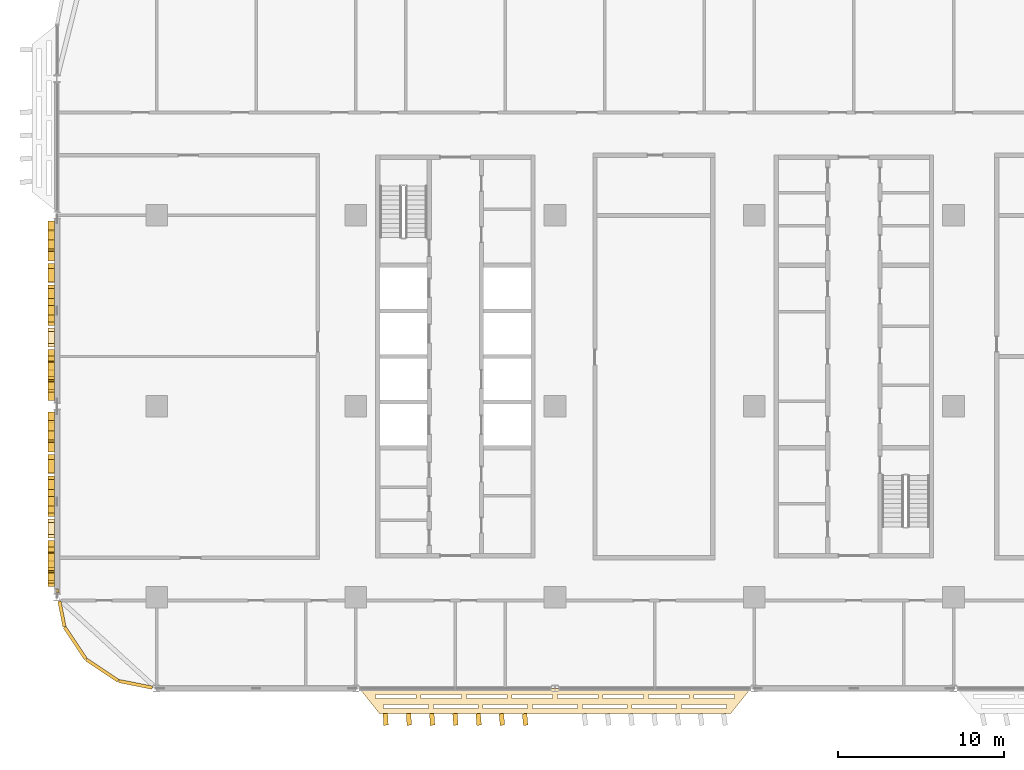
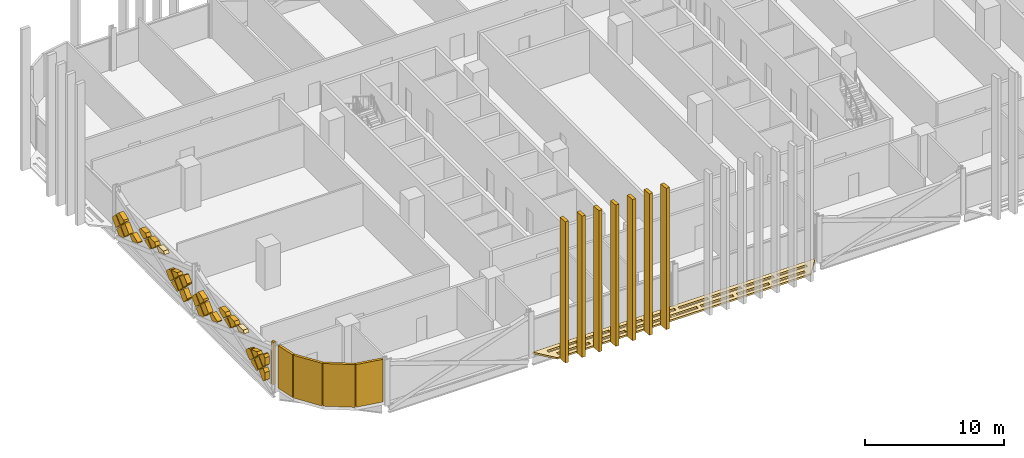
# One storey, part 25 of 32: 43 coverings.
"""IFC4 building model written with IfcOpenShell, lengths in metres."""

import ifcopenshell
import ifcopenshell.guid

model = None  # the IFC model being written
_history = None  # IfcOwnerHistory: only IFC2X3 demands one
_inside = {}  # id of a spatial element -> (the spatial element, [elements in it])
_under = {}  # id of a project, library or spatial element -> (it, [spatial elements below it])
_declared = {}  # id of a project -> (the project, [libraries it declares])
_typed = {}  # id of a type object -> (the type object, [elements of that type])
_made_of = {}  # id of a material, layer set ... -> (it, [elements and type objects made of it])


def new_model(schema):
    """Start an empty IFC model of exactly this schema.

    Asked for "IFC4X3", IfcOpenShell would pick the latest addendum, in which some entities
    have other attributes; the version numbers below select the first issue.
    IFC2X3 requires an IfcOwnerHistory on every rooted entity: one is made here for all.
    """
    global model, _history
    if schema == "IFC4X3":
        model = ifcopenshell.file(schema_version=(4, 3, 0, 0))
    else:
        model = ifcopenshell.file(schema=schema)
    _inside.clear()
    _under.clear()
    _declared.clear()
    _typed.clear()
    _made_of.clear()
    _history = None
    if model.schema == "IFC2X3":
        org = make("IfcOrganization", Name="unknown")
        user = make(
            "IfcPersonAndOrganization",
            ThePerson=make("IfcPerson", FamilyName="unknown"),
            TheOrganization=org,
        )
        app = make(
            "IfcApplication",
            ApplicationDeveloper=org,
            Version="unknown",
            ApplicationFullName="unknown",
            ApplicationIdentifier="unknown",
        )
        _history = make(
            "IfcOwnerHistory",
            OwningUser=user,
            OwningApplication=app,
            ChangeAction="ADDED",
            CreationDate=0,
        )
    return model


def make(cls, **values):
    """One entity of the class cls with the attributes given. An attribute that is None is left unset."""
    return model.create_entity(
        cls, **{name: value for name, value in values.items() if value is not None}
    )


def rooted(cls, **values):
    """An entity with a GlobalId (a new one), such as an element, a storey or a relation."""
    return make(cls, GlobalId=ifcopenshell.guid.new(), OwnerHistory=_history, **values)


def si_unit(unit_type, name, prefix=None):
    """IfcSIUnit, for example si_unit("LENGTHUNIT", "METRE", prefix="MILLI")."""
    return make("IfcSIUnit", UnitType=unit_type, Prefix=prefix, Name=name)


def assignment(units):
    """IfcUnitAssignment: the units of a project."""
    return None if units is None else make("IfcUnitAssignment", Units=units)


def point(xyz):
    """IfcCartesianPoint."""
    return None if xyz is None else make("IfcCartesianPoint", Coordinates=xyz)


def direction(xyz):
    """IfcDirection."""
    return None if xyz is None else make("IfcDirection", DirectionRatios=xyz)


def frame(location, z_axis=None, x_axis=None):
    """IfcAxis2Placement3D, a coordinate frame: its origin and axes. An axis left out is left unset."""
    return make(
        "IfcAxis2Placement3D",
        Location=point(location),
        Axis=direction(z_axis),
        RefDirection=direction(x_axis),
    )


def frame_2d(location, x_axis=None):
    """IfcAxis2Placement2D, a coordinate frame in the plane: its origin and x axis."""
    return make(
        "IfcAxis2Placement2D", Location=point(location), RefDirection=direction(x_axis)
    )


def origin():
    """The frame at (0, 0, 0) with its axes left unset."""
    return frame((0.0, 0.0, 0.0))


def origin_2d():
    """The frame at (0, 0) in the plane with its x axis left unset."""
    return frame_2d((0.0, 0.0))


def place(relative_to, where):
    """IfcLocalPlacement: puts the frame where relative to a parent placement (None: the world)."""
    return make(
        "IfcLocalPlacement", PlacementRelTo=relative_to, RelativePlacement=where
    )


def context(
    kind, dimensions, precision=None, world=None, true_north=None, identifier=None
):
    """IfcGeometricRepresentationContext, for example the 3D "Model" context."""
    return make(
        "IfcGeometricRepresentationContext",
        ContextIdentifier=identifier,
        ContextType=kind,
        CoordinateSpaceDimension=dimensions,
        Precision=precision,
        WorldCoordinateSystem=world,
        TrueNorth=true_north,
    )


def subcontext(parent, identifier, kind, view, scale=None):
    """IfcGeometricRepresentationSubContext, for example "Body" below "Model"."""
    return make(
        "IfcGeometricRepresentationSubContext",
        ContextIdentifier=identifier,
        ContextType=kind,
        ParentContext=parent,
        TargetScale=scale,
        TargetView=view,
    )


def project(units=None, contexts=None):
    """IfcProject with its units and contexts."""
    return rooted(
        "IfcProject",
        Name="project",
        RepresentationContexts=contexts,
        UnitsInContext=assignment(units),
    )


def spatial(cls, under=None, at=None, **own):
    """A site, building, storey or space (cls), placed at a placement, below another one or the project."""
    s = rooted(cls, ObjectPlacement=at, **own)
    if under is not None:
        _under.setdefault(under.id(), (under, []))[1].append(s)
    return s


def polyline(points):
    """IfcPolyline through the points."""
    return make("IfcPolyline", Points=[point(p) for p in points])


def profile(cls, at=None, kind="AREA", **sizes):
    """A parametric profile (cls). Its sizes go by their IFC names, for example OverallWidth=200.0."""
    return make(cls, ProfileType=kind, Position=at, **sizes)


def rectangle(**sizes):
    """IfcRectangleProfileDef."""
    return profile("IfcRectangleProfileDef", **sizes)


def outline(outer, holes=None, kind="AREA"):
    """IfcArbitraryClosedProfileDef: a profile drawn as a closed curve; with holes, ...WithVoids."""
    if holes is None:
        return make("IfcArbitraryClosedProfileDef", ProfileType=kind, OuterCurve=outer)
    return make(
        "IfcArbitraryProfileDefWithVoids",
        ProfileType=kind,
        OuterCurve=outer,
        InnerCurves=holes,
    )


def extrude(swept, where, along, depth):
    """IfcExtrudedAreaSolid: the profile swept, set in the frame where, extruded along a direction by depth."""
    return make(
        "IfcExtrudedAreaSolid",
        SweptArea=swept,
        Position=where,
        ExtrudedDirection=direction(along),
        Depth=depth,
    )


def shape(context_of_items, identifier, shape_type, items):
    """IfcShapeRepresentation: the items that make up one representation, for example the "Body"."""
    return make(
        "IfcShapeRepresentation",
        ContextOfItems=context_of_items,
        RepresentationIdentifier=identifier,
        RepresentationType=shape_type,
        Items=items,
    )


def material(Name=None, Category=None):
    """IfcMaterial."""
    return make("IfcMaterial", Name=Name, Category=Category)


def layer(
    of_material, thickness, ventilated=None, Name=None, Category=None, Priority=None
):
    """IfcMaterialLayer: one layer of a wall or slab, of a material (None: an air gap)."""
    return make(
        "IfcMaterialLayer",
        Material=of_material,
        LayerThickness=thickness,
        IsVentilated=ventilated,
        Name=Name,
        Category=Category,
        Priority=Priority,
    )


def layer_set(layers, Name=None):
    """IfcMaterialLayerSet."""
    return make("IfcMaterialLayerSet", MaterialLayers=layers, LayerSetName=Name)


def made_of(thing, what):
    """Note that an element or type object is made of a material, layer set ...; save() writes the relation."""
    if what is not None:
        _made_of.setdefault(what.id(), (what, []))[1].append(thing)
    return thing


def type_object(cls, material=None, **own):
    """A type object (cls), such as IfcWallType, which elements share."""
    return made_of(rooted(cls, **own), material)


def element(
    cls,
    number,
    at=None,
    inside=None,
    cuts=None,
    type_object=None,
    material=None,
    context=None,
    identifier="Body",
    shape_type=None,
    held_by="IfcProductDefinitionShape",
    body=None,
    shapes=None,
    **own,
):
    """One element of the class cls, such as IfcWall. Its Tag is "e" and its number.

    at: its placement. inside: the storey or other place that contains it. cuts: it is an
    opening in that element (IfcRelVoidsElement). A single representation is given by context,
    identifier, shape_type and body (its items); several are given by shapes. held_by: the class
    of the entity that holds the representations. save() writes the other relations.
    """
    e = rooted(cls, Tag="e%d" % number, ObjectPlacement=at, **own)
    if body is not None:
        shapes = [shape(context, identifier, shape_type, body)]
    if shapes is not None:
        e.Representation = make(held_by, Representations=shapes)
    if inside is not None:
        _inside.setdefault(inside.id(), (inside, []))[1].append(e)
    if cuts is not None:
        rooted(
            "IfcRelVoidsElement", RelatingBuildingElement=cuts, RelatedOpeningElement=e
        )
    if type_object is not None:
        _typed.setdefault(type_object.id(), (type_object, []))[1].append(e)
    return made_of(e, material)


def aggregate(whole, parts):
    """IfcRelAggregates: a whole, such as a stair, and the parts it consists of."""
    return rooted("IfcRelAggregates", RelatingObject=whole, RelatedObjects=parts)


def save(model, path):
    """Write the relations noted so far, then the file.

    IfcRelAggregates (storeys below a building ...), IfcRelContainedInSpatialStructure (elements
    in a storey), IfcRelDefinesByType, IfcRelAssociatesMaterial and IfcRelDeclares: one each for
    every whole, place, type object, material and project.
    """
    for whole, parts in _under.values():
        aggregate(whole, parts)
    for where, things in _inside.values():
        rooted(
            "IfcRelContainedInSpatialStructure",
            RelatedElements=things,
            RelatingStructure=where,
        )
    for kind, things in _typed.values():
        rooted("IfcRelDefinesByType", RelatedObjects=things, RelatingType=kind)
    for what, things in _made_of.values():
        rooted("IfcRelAssociatesMaterial", RelatedObjects=things, RelatingMaterial=what)
    for by, libraries in _declared.values():
        rooted("IfcRelDeclares", RelatingContext=by, RelatedDefinitions=libraries)
    model.write(path)


model = new_model("IFC4")

# Units and contexts
model_context = context("Model", 3, precision=1e-05, world=origin(), true_north=direction((0.0, 1.0)))
body_context = subcontext(model_context, "Body", "Model", "MODEL_VIEW")
ifc_project = project(units=[si_unit("LENGTHUNIT", "METRE"), si_unit("AREAUNIT", "SQUARE_METRE"), si_unit("VOLUMEUNIT", "CUBIC_METRE"), si_unit("PLANEANGLEUNIT", "RADIAN"), si_unit("MASSUNIT", "GRAM", prefix="KILO")], contexts=[model_context])

# Site, building, storey
site_placement = place(None, origin())
site = spatial("IfcSite", under=ifc_project, at=site_placement, CompositionType="ELEMENT")
building_placement = place(site_placement, origin())
building = spatial("IfcBuilding", under=site, at=building_placement, Name="Mahtab Terrace Research Tower", CompositionType="ELEMENT")
storey_placement = place(building_placement, frame((0.0, 0.0, 138.39990234375)))
storey = spatial("IfcBuildingStorey", under=building, at=storey_placement, Name="L32", CompositionType="ELEMENT", Elevation=138.39990234375)

# Coverings
ifc_material_1 = material(Name="Black aluminium cladding panel", Category="aluminium")
ifc_layer_1 = layer(ifc_material_1, 0.199951171875)
ifc_layer_set_1 = layer_set([ifc_layer_1], Name="Black metal corner cladding 200")
covering_type_1 = type_object("IfcCoveringType", Name="Black metal corner cladding 200", PredefinedType="CLADDING", material=ifc_layer_set_1)
covering_1_placement = place(storey_placement, frame((-47.97607421875, -11.11962890625, 0.0), z_axis=(0.0, 0.0, 1.0), x_axis=(0.195212442692, -0.980760981187, 0.0)))
element("IfcCovering", 1, at=covering_1_placement, inside=storey, type_object=covering_type_1, Name="Corner cladding L32 19", PredefinedType="CLADDING", context=body_context, shape_type="SweptSolid", body=[
    extrude(rectangle(XDim=0.22412109375, YDim=0.199951171875, at=origin_2d()), origin(), (0.0, 0.0, 1.0), 3.760009765625),
])
covering_2_placement = place(storey_placement, frame((-47.700439453125, -12.50439453125, 0.0), z_axis=(0.0, 0.0, 1.0), x_axis=(0.195212442692, -0.980760981187, 0.0)))
element("IfcCovering", 2, at=covering_2_placement, inside=storey, type_object=covering_type_1, Name="Corner cladding L32 20", PredefinedType="CLADDING", context=body_context, shape_type="SweptSolid", body=[
    extrude(rectangle(XDim=1.574462890625, YDim=0.199951171875, at=origin_2d()), origin(), (0.0, 0.0, 1.0), 3.760009765625),
])
for number, where, z_axis, x_axis, name in (
    (3, (-46.89306640625, -14.26953125, 0.0), (0.0, 0.0, 1.0), (0.555291490808, -0.831655794326, 0.0), "Corner cladding L32 21"),
    (4, (-45.26953125, -15.89306640625, 0.0), (0.0, 0.0, 1.0), (0.831655794326, -0.555291490808, 0.0), "Corner cladding L32 22"),
):
    element("IfcCovering", number, at=place(storey_placement, frame(where, z_axis=z_axis, x_axis=x_axis)), inside=storey, type_object=covering_type_1, Name=name, PredefinedType="CLADDING", context=body_context, shape_type="SweptSolid", body=[
        extrude(rectangle(XDim=2.30126953125, YDim=0.199951171875, at=origin_2d()), origin(), (0.0, 0.0, 1.0), 3.760009765625),
    ])
covering_3_placement = place(storey_placement, frame((-43.263916015625, -16.74853515625, 0.0), z_axis=(0.0, 0.0, 1.0), x_axis=(0.980760981187, -0.195212442692, 0.0)))
element("IfcCovering", 5, at=covering_3_placement, inside=storey, type_object=covering_type_1, Name="Corner cladding L32 23", PredefinedType="CLADDING", context=body_context, shape_type="SweptSolid", body=[
    extrude(rectangle(XDim=2.064697265625, YDim=0.199951171875, at=origin_2d()), origin(), (0.0, 0.0, 1.0), 3.760009765625),
])
ifc_material_2 = material(Name="Black anodised aluminium", Category="aluminium")
ifc_layer_2 = layer(ifc_material_2, 0.14990234375)
ifc_layer_set_2 = layer_set([ifc_layer_2], Name="Horizontal sunshade band")
covering_type_2 = type_object("IfcCoveringType", Name="Horizontal sunshade band", PredefinedType="CLADDING", material=ifc_layer_set_2)
covering_4_placement = place(storey_placement, frame((0.0, 0.0, -0.14990234375)))
element("IfcCovering", 6, at=covering_4_placement, inside=storey, type_object=covering_type_2, Name="Sunshade band L32 25", PredefinedType="CLADDING", context=body_context, shape_type="SweptSolid", body=[
    extrude(outline(polyline([(-29.781982421875, -17.0), (-6.218017578125, -17.0), (-7.41796875, -18.5), (-28.58203125, -18.5), (-29.781982421875, -17.0)]), holes=[polyline([(-28.802001953125, -17.35009765625), (-26.364013671875, -17.35009765625), (-26.364013671875, -17.60009765625), (-28.802001953125, -17.60009765625), (-28.802001953125, -17.35009765625)]), polyline([(-26.06396484375, -17.35009765625), (-23.6259765625, -17.35009765625), (-23.6259765625, -17.60009765625), (-26.06396484375, -17.60009765625), (-26.06396484375, -17.35009765625)]), polyline([(-23.325927734375, -17.35009765625), (-20.887939453125, -17.35009765625), (-20.887939453125, -17.60009765625), (-23.325927734375, -17.60009765625), (-23.325927734375, -17.35009765625)]), polyline([(-20.587890625, -17.35009765625), (-18.14990234375, -17.35009765625), (-18.14990234375, -17.60009765625), (-20.587890625, -17.60009765625), (-20.587890625, -17.35009765625)]), polyline([(-17.85009765625, -17.35009765625), (-15.412109375, -17.35009765625), (-15.412109375, -17.60009765625), (-17.85009765625, -17.60009765625), (-17.85009765625, -17.35009765625)]), polyline([(-15.112060546875, -17.35009765625), (-12.674072265625, -17.35009765625), (-12.674072265625, -17.60009765625), (-15.112060546875, -17.60009765625), (-15.112060546875, -17.35009765625)]), polyline([(-12.3740234375, -17.35009765625), (-9.93603515625, -17.35009765625), (-9.93603515625, -17.60009765625), (-12.3740234375, -17.60009765625), (-12.3740234375, -17.35009765625)]), polyline([(-9.635986328125, -17.35009765625), (-7.197998046875, -17.35009765625), (-7.197998046875, -17.60009765625), (-9.635986328125, -17.60009765625), (-9.635986328125, -17.35009765625)]), polyline([(-28.322021484375, -17.949951171875), (-25.6298828125, -17.949951171875), (-25.6298828125, -18.199951171875), (-28.322021484375, -18.199951171875), (-28.322021484375, -17.949951171875)]), polyline([(-25.330078125, -17.949951171875), (-22.637939453125, -17.949951171875), (-22.637939453125, -18.199951171875), (-25.330078125, -18.199951171875), (-25.330078125, -17.949951171875)]), polyline([(-22.337890625, -17.949951171875), (-19.64599609375, -17.949951171875), (-19.64599609375, -18.199951171875), (-22.337890625, -18.199951171875), (-22.337890625, -17.949951171875)]), polyline([(-19.345947265625, -17.949951171875), (-16.654052734375, -17.949951171875), (-16.654052734375, -18.199951171875), (-19.345947265625, -18.199951171875), (-19.345947265625, -17.949951171875)]), polyline([(-16.35400390625, -17.949951171875), (-13.662109375, -17.949951171875), (-13.662109375, -18.199951171875), (-16.35400390625, -18.199951171875), (-16.35400390625, -17.949951171875)]), polyline([(-13.362060546875, -17.949951171875), (-10.669921875, -17.949951171875), (-10.669921875, -18.199951171875), (-13.362060546875, -18.199951171875), (-13.362060546875, -17.949951171875)]), polyline([(-10.3701171875, -17.949951171875), (-7.677978515625, -17.949951171875), (-7.677978515625, -18.199951171875), (-10.3701171875, -18.199951171875), (-10.3701171875, -17.949951171875)])]), origin(), (0.0, 0.0, 1.0), 0.14990234375),
])
ifc_material_3 = material(Name="Bronze anodised aluminium", Category="aluminium")
ifc_layer_3 = layer(ifc_material_3, 0.39990234375)
ifc_layer_set_3 = layer_set([ifc_layer_3], Name="Mashrabiya relief panel 400")
covering_type_3 = type_object("IfcCoveringType", Name="Mashrabiya relief panel 400", PredefinedType="CLADDING", material=ifc_layer_set_3)
covering_5_placement = place(storey_placement, frame((-48.14990234375, 10.632080078125, 1.93017578125), z_axis=(1.0, 0.0, 0.0), x_axis=(0.0, -0.707106781187, -0.707106781187)))
element("IfcCovering", 7, at=covering_5_placement, inside=storey, type_object=covering_type_3, Name="Mashrabiya lattice cell L32 W17.1", PredefinedType="CLADDING", context=body_context, shape_type="SweptSolid", body=[
    extrude(outline(polyline([(0.0, 0.0), (0.8203543516109556, 0.0), (0.8203543516109556, 0.8203543516109556), (0.0920136509698315, 0.820181718119455), (0.0001726334915005956, 0.728340700641124), (0.0, 0.0)])), origin(), (0.0, 0.0, -1.0), 0.39990234375),
])
covering_6_placement = place(storey_placement, frame((-48.14990234375, 10.56201171875, 0.7001953125), z_axis=(1.0, 0.0, 0.0), x_axis=(0.0, -0.707255598772, 0.706957932274)))
element("IfcCovering", 8, at=covering_6_placement, inside=storey, type_object=covering_type_3, Name="Mashrabiya lattice cell L32 W17.2", PredefinedType="CLADDING", context=body_context, shape_type="SweptSolid", body=[
    extrude(outline(polyline([(0.0, 0.0), (0.8201817362875763, 0.0), (0.8203543334390104, 0.8200090664636573), (0.595412935332696, 0.8202290460751904), (0.00011315105885600918, 0.5375806806248061), (0.0, 0.0)])), origin(), (0.0, 0.0, -1.0), 0.39990234375),
])
covering_7_placement = place(storey_placement, frame((-48.14990234375, 9.402099609375, 2.0), z_axis=(1.0, 0.0, 0.0), x_axis=(0.0, 0.707106781187, -0.707106781187)))
element("IfcCovering", 9, at=covering_7_placement, inside=storey, type_object=covering_type_3, Name="Mashrabiya lattice cell L32 W17.3", PredefinedType="CLADDING", context=body_context, shape_type="SweptSolid", body=[
    extrude(outline(polyline([(0.0, 0.0), (0.8200090846279543, 0.0), (0.820181718119455, 0.820181718119455), (0.3209256606996563, 0.8201817181194551), (-0.00017263349150062335, 0.14414896540301933), (0.0, 0.0)])), origin(), (0.0, 0.0, -1.0), 0.39990234375),
])
covering_8_placement = place(storey_placement, frame((-48.14990234375, 9.33203125, 1.93017578125), z_axis=(1.0, 0.0, 0.0), x_axis=(0.0, -0.707106781187, -0.707106781187)))
element("IfcCovering", 10, at=covering_8_placement, inside=storey, type_object=covering_type_3, Name="Mashrabiya lattice cell L32 W17.4", PredefinedType="CLADDING", context=body_context, shape_type="SweptSolid", body=[
    extrude(outline(polyline([(0.0, 0.0), (0.8203543516109556, 0.0), (0.8203543516109556, 0.8203543516109556), (0.0, 0.8203543516109556), (0.0, 0.0)])), origin(), (0.0, 0.0, -1.0), 0.39990234375),
])
covering_9_placement = place(storey_placement, frame((-48.14990234375, 8.612060546875, 1.35009765625), z_axis=(1.0, 0.0, 0.0), x_axis=(0.0, -0.707106781187, 0.707106781187)))
element("IfcCovering", 11, at=covering_9_placement, inside=storey, type_object=covering_type_3, Name="Mashrabiya lattice cell L32 W17.5", PredefinedType="CLADDING", context=body_context, shape_type="SweptSolid", body=[
    extrude(outline(polyline([(0.0, 0.0), (0.4526450147146308, 0.0), (0.8203543516109556, 0.7751243768377926), (0.8203543516109556, 0.8203543516109556), (0.6943319028155016, 0.8203543516109556), (0.00017263349150062335, 0.49079701633626827), (0.0, 0.0)])), origin(), (0.0, 0.0, -1.0), 0.39990234375),
])
covering_10_placement = place(storey_placement, frame((-48.14990234375, 7.31201171875, 2.650146484375), z_axis=(1.0, 0.0, 0.0), x_axis=(0.0, -0.707106781187, 0.707106781187)))
element("IfcCovering", 12, at=covering_10_placement, inside=storey, type_object=covering_type_3, Name="Mashrabiya lattice cell L32 W17.6", PredefinedType="CLADDING", context=body_context, shape_type="SweptSolid", body=[
    extrude(outline(polyline([(0.0, 0.0), (0.30832341582011086, 0.0), (0.820181718119455, 0.511858302299344), (0.820181718119455, 0.820181718119455), (0.18661680431217237, 0.8201817181194551), (0.0, 0.4257141900405338), (0.0, 0.0)])), origin(), (0.0, 0.0, -1.0), 0.39990234375),
])
covering_11_placement = place(storey_placement, frame((-48.14990234375, 6.08203125, 2.580078125), z_axis=(1.0, 0.0, 0.0), x_axis=(0.0, -0.707106781187, -0.707106781187)))
element("IfcCovering", 13, at=covering_11_placement, inside=storey, type_object=covering_type_3, Name="Mashrabiya lattice cell L32 W17.7", PredefinedType="CLADDING", context=body_context, shape_type="SweptSolid", body=[
    extrude(outline(polyline([(0.0, 0.0), (0.8203543516109556, 0.0), (0.820181718119455, 0.02675819118259637), (0.715565822270078, 0.2460027253883863), (0.0, 0.5855728031701097), (0.0, 0.0)])), origin(), (0.0, 0.0, -1.0), 0.39990234375),
])
covering_12_placement = place(storey_placement, frame((-48.14990234375, 4.85205078125, 2.650146484375), z_axis=(1.0, 0.0, 0.0), x_axis=(0.0, 0.706957932274, -0.707255598772)))
element("IfcCovering", 14, at=covering_12_placement, inside=storey, type_object=covering_type_3, Name="Mashrabiya lattice cell L32 W17.8", PredefinedType="CLADDING", context=body_context, shape_type="SweptSolid", body=[
    extrude(outline(polyline([(0.0, 0.0), (0.8201817362875763, 0.0), (0.8200090664636573, 0.8203543334390104), (0.5116856574733222, 0.8202894369100712), (-6.489652893926223e-05, 0.30832340899033517), (0.0, 0.0)])), origin(), (0.0, 0.0, -1.0), 0.39990234375),
])
covering_13_placement = place(storey_placement, frame((-48.14990234375, 4.7119140625, 2.650146484375), z_axis=(1.0, 0.0, 0.0), x_axis=(0.0, -0.707106781187, 0.707106781187)))
element("IfcCovering", 15, at=covering_13_placement, inside=storey, type_object=covering_type_3, Name="Mashrabiya lattice cell L32 W17.9", PredefinedType="CLADDING", context=body_context, shape_type="SweptSolid", body=[
    extrude(outline(polyline([(0.0, 0.0), (0.30832341582011086, 0.0), (0.820181718119455, 0.511858302299344), (0.820181718119455, 0.7863455537853331), (0.0, 0.3960212295024268), (0.0, 0.0)])), origin(), (0.0, 0.0, -1.0), 0.39990234375),
])
covering_14_placement = place(storey_placement, frame((-48.14990234375, 3.412109375, 1.35009765625), z_axis=(1.0, 0.0, 0.0), x_axis=(0.0, -0.707106781187, 0.707106781187)))
element("IfcCovering", 16, at=covering_14_placement, inside=storey, type_object=covering_type_3, Name="Mashrabiya lattice cell L32 W17.10", PredefinedType="CLADDING", context=body_context, shape_type="SweptSolid", body=[
    extrude(outline(polyline([(0.0, 0.0), (0.5431049642609567, 0.0), (0.8203543516109556, 0.13154672052347394), (0.8203543516109556, 0.8203543516109556), (0.09339471890183648, 0.820181718119455), (0.0001726334915006511, 0.6237248047917472), (0.0, 0.0)])), origin(), (0.0, 0.0, -1.0), 0.39990234375),
])
covering_15_placement = place(storey_placement, frame((-48.14990234375, 2.181884765625, 1.280029296875), z_axis=(1.0, 0.0, 0.0), x_axis=(0.0, -0.707106781187, -0.707106781187)))
element("IfcCovering", 17, at=covering_15_placement, inside=storey, type_object=covering_type_3, Name="Mashrabiya lattice cell L32 W17.11", PredefinedType="CLADDING", context=body_context, shape_type="SweptSolid", body=[
    extrude(outline(polyline([(0.0, 0.0), (0.8200090846279543, 0.0), (0.8200090846279543, 0.2914053336530499), (-0.0001726334915005956, 0.6803485900039512), (0.0, 0.0)])), origin(), (0.0, 0.0, -1.0), 0.39990234375),
])
covering_16_placement = place(storey_placement, frame((-48.14990234375, 1.60205078125, 2.0), z_axis=(1.0, 0.0, 0.0), x_axis=(0.0, 0.707106781187, -0.707106781187)))
element("IfcCovering", 18, at=covering_16_placement, inside=storey, type_object=covering_type_3, Name="Mashrabiya lattice cell L32 W17.12", PredefinedType="CLADDING", context=body_context, shape_type="SweptSolid", body=[
    extrude(outline(polyline([(0.0, 0.0), (0.8200090846279543, 0.0), (0.8201817181194551, 0.6420239548908131), (-0.00017263349150062335, 0.2532533320314124), (0.0, 0.0)])), origin(), (0.0, 0.0, -1.0), 0.39990234375),
])
covering_17_placement = place(storey_placement, frame((-48.14990234375, 1.531982421875, 1.93017578125), z_axis=(1.0, 0.0, 0.0), x_axis=(0.0, -0.707106781187, -0.707106781187)))
element("IfcCovering", 19, at=covering_17_placement, inside=storey, type_object=covering_type_3, Name="Mashrabiya lattice cell L32 W17.13", PredefinedType="CLADDING", context=body_context, shape_type="SweptSolid", body=[
    extrude(outline(polyline([(0.0, 0.0), (0.8203543516109556, 0.0), (0.8203543516109556, 0.8203543516109556), (0.0, 0.8203543516109556), (0.0, 0.0)])), origin(), (0.0, 0.0, -1.0), 0.39990234375),
])
covering_18_placement = place(storey_placement, frame((-48.14990234375, 1.4619140625, 0.7001953125), z_axis=(1.0, 0.0, 0.0), x_axis=(0.0, -0.707106781187, 0.707106781187)))
element("IfcCovering", 20, at=covering_18_placement, inside=storey, type_object=covering_type_3, Name="Mashrabiya lattice cell L32 W17.14", PredefinedType="CLADDING", context=body_context, shape_type="SweptSolid", body=[
    extrude(outline(polyline([(0.0, 0.0), (0.8200090846279543, 0.0), (0.8200090846279543, 0.7481935521636957), (0.748020918672195, 0.820181718119455), (0.04505734128166233, 0.8201817181194551), (-0.0001726334915006511, 0.7241974968451091), (0.0, 0.0)])), origin(), (0.0, 0.0, -1.0), 0.39990234375),
])
covering_19_placement = place(storey_placement, frame((-48.14990234375, 0.882080078125, 1.420166015625), z_axis=(1.0, 0.0, 0.0), x_axis=(0.0, 0.707106781187, 0.707106781187)))
element("IfcCovering", 21, at=covering_19_placement, inside=storey, type_object=covering_type_3, Name="Mashrabiya lattice cell L32 W17.15", PredefinedType="CLADDING", context=body_context, shape_type="SweptSolid", body=[
    extrude(outline(polyline([(0.0, 0.0), (0.8200090846279543, 0.0), (0.8201817181194551, 0.6420239548908131), (0.735246040301149, 0.820181718119455), (0.07198816595575935, 0.8201817181194551), (0.0, 0.7481935521636957), (0.0, 0.0)])), origin(), (0.0, 0.0, -1.0), 0.39990234375),
])
covering_20_placement = place(storey_placement, frame((-48.14990234375, -0.867919921875, 1.93017578125), z_axis=(1.0, 0.0, 0.0), x_axis=(0.0, -0.707106781187, -0.707106781187)))
element("IfcCovering", 22, at=covering_20_placement, inside=storey, type_object=covering_type_3, Name="Mashrabiya lattice cell L32 W18.1", PredefinedType="CLADDING", context=body_context, shape_type="SweptSolid", body=[
    extrude(outline(polyline([(0.0, 0.0), (0.8203543516109556, 0.0), (0.8203543516109556, 0.8203543516109556), (0.0920136509698315, 0.820181718119455), (0.0001726334915005956, 0.728340700641124), (0.0, 0.0)])), origin(), (0.0, 0.0, -1.0), 0.39990234375),
])
covering_21_placement = place(storey_placement, frame((-48.14990234375, -0.93798828125, 0.7001953125), z_axis=(1.0, 0.0, 0.0), x_axis=(0.0, -0.707255598772, 0.706957932274)))
element("IfcCovering", 23, at=covering_21_placement, inside=storey, type_object=covering_type_3, Name="Mashrabiya lattice cell L32 W18.2", PredefinedType="CLADDING", context=body_context, shape_type="SweptSolid", body=[
    extrude(outline(polyline([(0.0, 0.0), (0.8201817362875763, 0.0), (0.8203543334390104, 0.8200090664636573), (0.595412935332696, 0.8202290460751904), (0.00011315105885600918, 0.5375806806248061), (0.0, 0.0)])), origin(), (0.0, 0.0, -1.0), 0.39990234375),
])
covering_22_placement = place(storey_placement, frame((-48.14990234375, -2.097900390625, 2.0), z_axis=(1.0, 0.0, 0.0), x_axis=(0.0, 0.707106781187, -0.707106781187)))
element("IfcCovering", 24, at=covering_22_placement, inside=storey, type_object=covering_type_3, Name="Mashrabiya lattice cell L32 W18.3", PredefinedType="CLADDING", context=body_context, shape_type="SweptSolid", body=[
    extrude(outline(polyline([(0.0, 0.0), (0.8200090846279543, 0.0), (0.820181718119455, 0.820181718119455), (0.3209256606996563, 0.8201817181194551), (-0.00017263349150062335, 0.14414896540301933), (0.0, 0.0)])), origin(), (0.0, 0.0, -1.0), 0.39990234375),
])
covering_23_placement = place(storey_placement, frame((-48.14990234375, -2.16796875, 1.93017578125), z_axis=(1.0, 0.0, 0.0), x_axis=(0.0, -0.707106781187, -0.707106781187)))
element("IfcCovering", 25, at=covering_23_placement, inside=storey, type_object=covering_type_3, Name="Mashrabiya lattice cell L32 W18.4", PredefinedType="CLADDING", context=body_context, shape_type="SweptSolid", body=[
    extrude(outline(polyline([(0.0, 0.0), (0.8203543516109556, 0.0), (0.8203543516109556, 0.8203543516109556), (0.0, 0.8203543516109556), (0.0, 0.0)])), origin(), (0.0, 0.0, -1.0), 0.39990234375),
])
covering_24_placement = place(storey_placement, frame((-48.14990234375, -2.887939453125, 1.35009765625), z_axis=(1.0, 0.0, 0.0), x_axis=(0.0, -0.707106781187, 0.707106781187)))
element("IfcCovering", 26, at=covering_24_placement, inside=storey, type_object=covering_type_3, Name="Mashrabiya lattice cell L32 W18.5", PredefinedType="CLADDING", context=body_context, shape_type="SweptSolid", body=[
    extrude(outline(polyline([(0.0, 0.0), (0.4526450147146308, 0.0), (0.8203543516109556, 0.7751243768377926), (0.8203543516109556, 0.8203543516109556), (0.6943319028155016, 0.8203543516109556), (0.00017263349150062335, 0.49079701633626827), (0.0, 0.0)])), origin(), (0.0, 0.0, -1.0), 0.39990234375),
])
covering_25_placement = place(storey_placement, frame((-48.14990234375, -4.18798828125, 2.650146484375), z_axis=(1.0, 0.0, 0.0), x_axis=(0.0, -0.707106781187, 0.707106781187)))
element("IfcCovering", 27, at=covering_25_placement, inside=storey, type_object=covering_type_3, Name="Mashrabiya lattice cell L32 W18.6", PredefinedType="CLADDING", context=body_context, shape_type="SweptSolid", body=[
    extrude(outline(polyline([(0.0, 0.0), (0.30832341582011086, 0.0), (0.820181718119455, 0.511858302299344), (0.820181718119455, 0.820181718119455), (0.18661680431217237, 0.8201817181194551), (0.0, 0.4257141900405338), (0.0, 0.0)])), origin(), (0.0, 0.0, -1.0), 0.39990234375),
])
covering_26_placement = place(storey_placement, frame((-48.14990234375, -5.41796875, 2.580078125), z_axis=(1.0, 0.0, 0.0), x_axis=(0.0, -0.707106781187, -0.707106781187)))
element("IfcCovering", 28, at=covering_26_placement, inside=storey, type_object=covering_type_3, Name="Mashrabiya lattice cell L32 W18.7", PredefinedType="CLADDING", context=body_context, shape_type="SweptSolid", body=[
    extrude(outline(polyline([(0.0, 0.0), (0.8203543516109556, 0.0), (0.820181718119455, 0.02675819118259637), (0.715565822270078, 0.2460027253883863), (0.0, 0.5855728031701097), (0.0, 0.0)])), origin(), (0.0, 0.0, -1.0), 0.39990234375),
])
covering_27_placement = place(storey_placement, frame((-48.14990234375, -6.64794921875, 2.650146484375), z_axis=(1.0, 0.0, 0.0), x_axis=(0.0, 0.706957932274, -0.707255598772)))
element("IfcCovering", 29, at=covering_27_placement, inside=storey, type_object=covering_type_3, Name="Mashrabiya lattice cell L32 W18.8", PredefinedType="CLADDING", context=body_context, shape_type="SweptSolid", body=[
    extrude(outline(polyline([(0.0, 0.0), (0.8201817362875763, 0.0), (0.8200090664636573, 0.8203543334390104), (0.5116856574733222, 0.8202894369100712), (-6.489652893926223e-05, 0.30832340899033517), (0.0, 0.0)])), origin(), (0.0, 0.0, -1.0), 0.39990234375),
])
covering_28_placement = place(storey_placement, frame((-48.14990234375, -6.7880859375, 2.650146484375), z_axis=(1.0, 0.0, 0.0), x_axis=(0.0, -0.707106781187, 0.707106781187)))
element("IfcCovering", 30, at=covering_28_placement, inside=storey, type_object=covering_type_3, Name="Mashrabiya lattice cell L32 W18.9", PredefinedType="CLADDING", context=body_context, shape_type="SweptSolid", body=[
    extrude(outline(polyline([(0.0, 0.0), (0.30832341582011086, 0.0), (0.820181718119455, 0.511858302299344), (0.820181718119455, 0.7863455537853331), (0.0, 0.3960212295024268), (0.0, 0.0)])), origin(), (0.0, 0.0, -1.0), 0.39990234375),
])
covering_29_placement = place(storey_placement, frame((-48.14990234375, -8.087890625, 1.35009765625), z_axis=(1.0, 0.0, 0.0), x_axis=(0.0, -0.707106781187, 0.707106781187)))
element("IfcCovering", 31, at=covering_29_placement, inside=storey, type_object=covering_type_3, Name="Mashrabiya lattice cell L32 W18.10", PredefinedType="CLADDING", context=body_context, shape_type="SweptSolid", body=[
    extrude(outline(polyline([(0.0, 0.0), (0.5431049642609567, 0.0), (0.8203543516109556, 0.13154672052347394), (0.8203543516109556, 0.8203543516109556), (0.09339471890183648, 0.820181718119455), (0.0001726334915006511, 0.6237248047917472), (0.0, 0.0)])), origin(), (0.0, 0.0, -1.0), 0.39990234375),
])
covering_30_placement = place(storey_placement, frame((-48.14990234375, -9.318115234375, 1.280029296875), z_axis=(1.0, 0.0, 0.0), x_axis=(0.0, -0.707106781187, -0.707106781187)))
element("IfcCovering", 32, at=covering_30_placement, inside=storey, type_object=covering_type_3, Name="Mashrabiya lattice cell L32 W18.11", PredefinedType="CLADDING", context=body_context, shape_type="SweptSolid", body=[
    extrude(outline(polyline([(0.0, 0.0), (0.8200090846279543, 0.0), (0.8200090846279543, 0.2914053336530499), (-0.0001726334915005956, 0.6803485900039512), (0.0, 0.0)])), origin(), (0.0, 0.0, -1.0), 0.39990234375),
])
covering_31_placement = place(storey_placement, frame((-48.14990234375, -9.89794921875, 2.0), z_axis=(1.0, 0.0, 0.0), x_axis=(0.0, 0.707106781187, -0.707106781187)))
element("IfcCovering", 33, at=covering_31_placement, inside=storey, type_object=covering_type_3, Name="Mashrabiya lattice cell L32 W18.12", PredefinedType="CLADDING", context=body_context, shape_type="SweptSolid", body=[
    extrude(outline(polyline([(0.0, 0.0), (0.8200090846279543, 0.0), (0.8201817181194551, 0.6420239548908131), (-0.00017263349150062335, 0.2532533320314124), (0.0, 0.0)])), origin(), (0.0, 0.0, -1.0), 0.39990234375),
])
covering_32_placement = place(storey_placement, frame((-48.14990234375, -9.968017578125, 1.93017578125), z_axis=(1.0, 0.0, 0.0), x_axis=(0.0, -0.707106781187, -0.707106781187)))
element("IfcCovering", 34, at=covering_32_placement, inside=storey, type_object=covering_type_3, Name="Mashrabiya lattice cell L32 W18.13", PredefinedType="CLADDING", context=body_context, shape_type="SweptSolid", body=[
    extrude(outline(polyline([(0.0, 0.0), (0.8203543516109556, 0.0), (0.8203543516109556, 0.8203543516109556), (0.0, 0.8203543516109556), (0.0, 0.0)])), origin(), (0.0, 0.0, -1.0), 0.39990234375),
])
covering_33_placement = place(storey_placement, frame((-48.14990234375, -10.0380859375, 0.7001953125), z_axis=(1.0, 0.0, 0.0), x_axis=(0.0, -0.707106781187, 0.707106781187)))
element("IfcCovering", 35, at=covering_33_placement, inside=storey, type_object=covering_type_3, Name="Mashrabiya lattice cell L32 W18.14", PredefinedType="CLADDING", context=body_context, shape_type="SweptSolid", body=[
    extrude(outline(polyline([(0.0, 0.0), (0.8200090846279543, 0.0), (0.820181718119455, 0.34923755330575823), (0.34923755330575823, 0.820181718119455), (0.04505734128166233, 0.8201817181194551), (-0.0001726334915006511, 0.7241974968451091), (0.0, 0.0)])), origin(), (0.0, 0.0, -1.0), 0.39990234375),
])
covering_34_placement = place(storey_placement, frame((-48.14990234375, -10.617919921875, 1.420166015625), z_axis=(1.0, 0.0, 0.0), x_axis=(0.0, 0.707106781187, 0.707106781187)))
element("IfcCovering", 36, at=covering_34_placement, inside=storey, type_object=covering_type_3, Name="Mashrabiya lattice cell L32 W18.15", PredefinedType="CLADDING", context=body_context, shape_type="SweptSolid", body=[
    extrude(outline(polyline([(0.0, 0.0), (0.8200090846279543, 0.0), (0.8201817181194551, 0.6420239548908131), (0.735246040301149, 0.820181718119455), (0.4707715313221961, 0.8201817181194551), (-0.00017263349150062335, 0.34923755330575823), (0.0, 0.0)])), origin(), (0.0, 0.0, -1.0), 0.39990234375),
])
ifc_layer_4 = layer(ifc_material_3, 0.1201171875)
ifc_layer_set_4 = layer_set([ifc_layer_4], Name="Vertical fin 700")
covering_type_4 = type_object("IfcCoveringType", Name="Vertical fin 700", PredefinedType="CLADDING", material=ifc_layer_set_4)
for number, where, z_axis, x_axis, name in (
    (37, (-28.199951171875, -18.857421875, -0.14990234375), (0.0, 0.0, 1.0), (0.998356138179, 0.057315105867, 0.0), "Fin L32 S1"),
    (38, (-26.800048828125, -18.858154296875, -0.14990234375), (0.0, 0.0, 1.0), (0.998005798968, 0.063122303718, 0.0), "Fin L32 S2"),
    (39, (-25.39990234375, -18.85888671875, -0.14990234375), (0.0, 0.0, 1.0), (0.997621680969, 0.068927365114, 0.0), "Fin L32 S3"),
    (40, (-24.0, -18.859375, -0.14990234375), (0.0, 0.0, 1.0), (0.997203797181, 0.074730093591, 0.0), "Fin L32 S4"),
    (41, (-22.60009765625, -18.860107421875, -0.14990234375), (0.0, 0.0, 1.0), (0.996752161751, 0.080530292716, 0.0), "Fin L32 S5"),
    (42, (-21.199951171875, -18.86083984375, -0.14990234375), (0.0, 0.0, 1.0), (0.996266789964, 0.086327766189, 0.0), "Fin L32 S6"),
    (43, (-19.800048828125, -18.861328125, -0.14990234375), (0.0, 0.0, 1.0), (0.995747698246, 0.092122317805, 0.0), "Fin L32 S7"),
):
    element("IfcCovering", number, at=place(storey_placement, frame(where, z_axis=z_axis, x_axis=x_axis)), inside=storey, type_object=covering_type_4, Name=name, PredefinedType="CLADDING", context=body_context, shape_type="SweptSolid", body=[
        extrude(rectangle(XDim=0.280029296875, YDim=0.699951171875, at=origin_2d()), origin(), (0.0, 0.0, 1.0), 12.449951171875),
    ])

save(model, "model.ifc")
